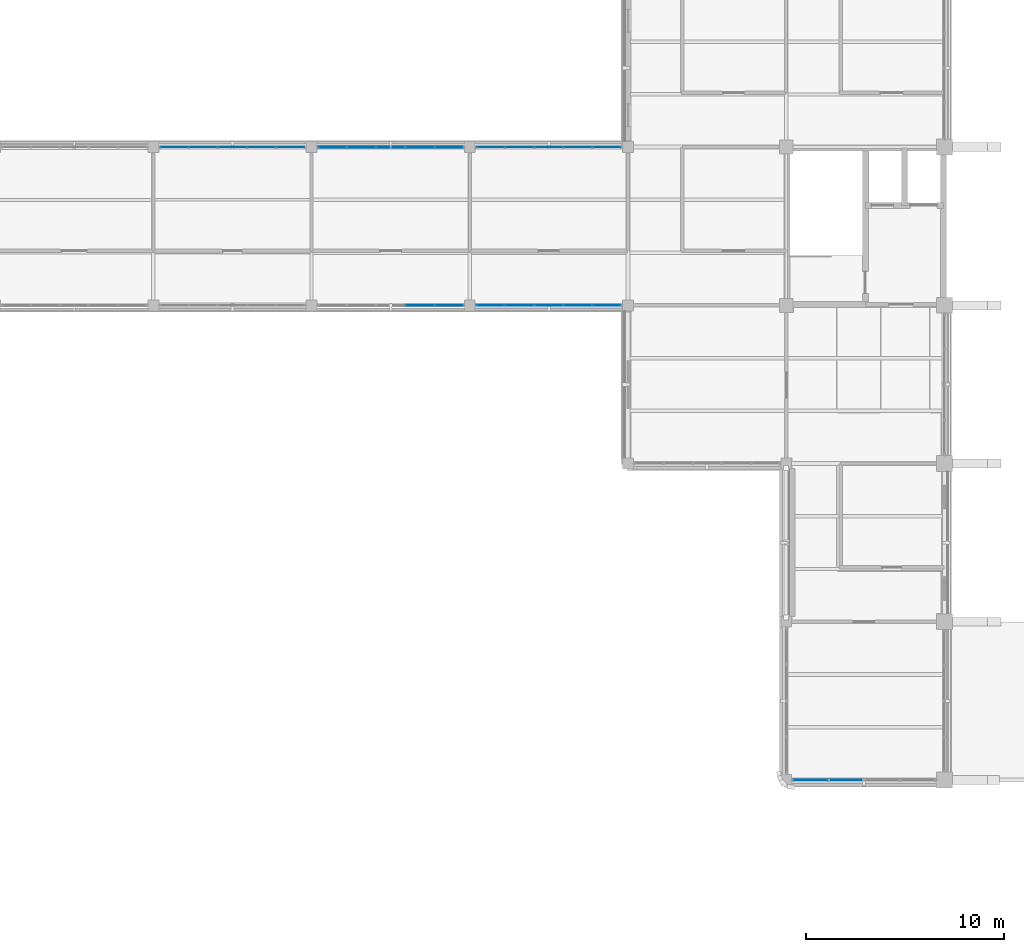
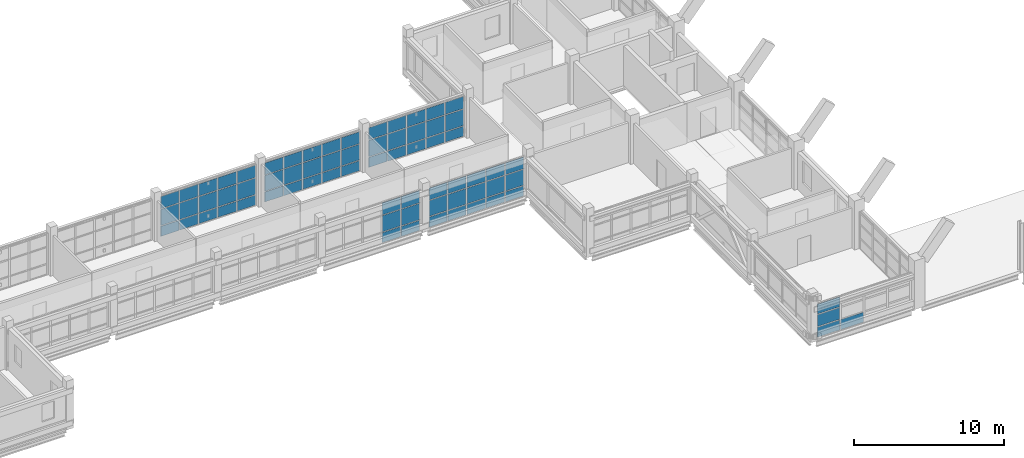
# One storey, part 50 of 92: 70 plates, 6 elements without a shape of their own.
"""IFC4 building model written with IfcOpenShell, lengths in metres."""

from ifc_helpers import new_model, si_unit, derived_unit, direction, frame, origin, origin_2d, place, context, subcontext, project, spatial, rectangle, extrude, material, layer, layer_set, type_object, element, aggregate, save


model = new_model("IFC4")

# Units and contexts
model_context = context("Model", 3, precision=1e-05, world=origin(), true_north=direction((0.0, 1.0)))
body_context = subcontext(model_context, "Body", "Model", "MODEL_VIEW")
ifc_project = project(units=[si_unit("LENGTHUNIT", "METRE"), si_unit("AREAUNIT", "SQUARE_METRE"), si_unit("VOLUMEUNIT", "CUBIC_METRE"), si_unit("PLANEANGLEUNIT", "RADIAN"), si_unit("MASSUNIT", "GRAM", prefix="KILO"), derived_unit("THERMALTRANSMITTANCEUNIT", [(si_unit("MASSUNIT", "GRAM", prefix="KILO"), 1), (si_unit("TIMEUNIT", "SECOND"), -3), (si_unit("THERMODYNAMICTEMPERATUREUNIT", "KELVIN"), -1)])], contexts=[model_context])

# Site, building, storey
site_placement = place(None, origin())
site = spatial("IfcSite", under=ifc_project, at=site_placement, CompositionType="ELEMENT")
building_placement = place(site_placement, origin())
building = spatial("IfcBuilding", under=site, at=building_placement, Name="Veyamyaing Civic Hall", CompositionType="ELEMENT")
storey_placement = place(building_placement, frame((0.0, 0.0, 17.820068359375)))
storey = spatial("IfcBuildingStorey", under=building, at=storey_placement, Name="L04", CompositionType="ELEMENT", Elevation=17.820068359375)

# Curtain wall, plates
ifc_material_1 = material(Name="Anodised aluminium 6063-T6", Category="aluminium")
ifc_layer_1 = layer(ifc_material_1, 0.139892578125, Name="Anodised aluminium 6063-T6")
ifc_layer_set_1 = layer_set([ifc_layer_1], Name="Anodised aluminium 6063-T6")
curtain_wall_type_1 = type_object("IfcCurtainWallType", Name="CW-04", PredefinedType="NOTDEFINED", material=ifc_layer_set_1)
curtain_wall_1_placement = place(storey_placement, origin())
curtain_wall_1 = element("IfcCurtainWall", 1, at=curtain_wall_1_placement, inside=storey, type_object=curtain_wall_type_1, Name="Unitized curtain wall CW-04 L04 N 5.7", PredefinedType="NOTDEFINED")
ifc_material_2 = material(Name="Low-E insulated glass", Category="glass")
ifc_layer_2 = layer(ifc_material_2, 0.02392578125, Name="Low-E insulated glass")
ifc_layer_set_2 = layer_set([ifc_layer_2], Name="Low-E insulated glass")
plate_type_1 = type_object("IfcPlateType", Name="CWP-04", PredefinedType="CURTAIN_PANEL", material=ifc_layer_set_2)
plate_1_placement = place(storey_placement, frame((33.05908203125, 56.0, 0.059814453125), z_axis=(0.0, 0.0, 1.0), x_axis=(1.0, 0.0, 0.0)))
plate_1 = element("IfcPlate", 2, at=plate_1_placement, type_object=plate_type_1, Name="CW-04 panel 1.1", PredefinedType="CURTAIN_PANEL", context=body_context, shape_type="SweptSolid", body=[
    extrude(rectangle(XDim=1.387939453125, YDim=0.02392578125, at=origin_2d()), origin(), (0.0, 0.0, 1.0), 0.81005859375),
])
plate_2_placement = place(storey_placement, frame((33.05908203125, 56.0, 0.929931640625), z_axis=(0.0, 0.0, 1.0), x_axis=(1.0, 0.0, 0.0)))
plate_2 = element("IfcPlate", 3, at=plate_2_placement, type_object=plate_type_1, Name="CW-04 panel 1.2", PredefinedType="CURTAIN_PANEL", context=body_context, shape_type="SweptSolid", body=[
    extrude(rectangle(XDim=1.387939453125, YDim=0.02392578125, at=origin_2d()), origin(), (0.0, 0.0, 1.0), 1.3193359375),
])
plate_3_placement = place(storey_placement, frame((33.05908203125, 56.0, 2.30908203125), z_axis=(0.0, 0.0, 1.0), x_axis=(1.0, 0.0, 0.0)))
plate_3 = element("IfcPlate", 4, at=plate_3_placement, type_object=plate_type_1, Name="CW-04 panel 1.3", PredefinedType="CURTAIN_PANEL", context=body_context, shape_type="SweptSolid", body=[
    extrude(rectangle(XDim=1.387939453125, YDim=0.02392578125, at=origin_2d()), origin(), (0.0, 0.0, 1.0), 0.982666015625),
])
plate_4_placement = place(storey_placement, frame((34.52197265625, 56.0, 0.059814453125), z_axis=(0.0, 0.0, 1.0), x_axis=(1.0, 0.0, 0.0)))
plate_4 = element("IfcPlate", 5, at=plate_4_placement, type_object=plate_type_1, Name="CW-04 panel 2.1", PredefinedType="CURTAIN_PANEL", context=body_context, shape_type="SweptSolid", body=[
    extrude(rectangle(XDim=1.41796875, YDim=0.02392578125, at=origin_2d()), origin(), (0.0, 0.0, 1.0), 0.81005859375),
])
plate_5_placement = place(storey_placement, frame((34.52197265625, 56.0, 0.929931640625), z_axis=(0.0, 0.0, 1.0), x_axis=(1.0, 0.0, 0.0)))
plate_5 = element("IfcPlate", 6, at=plate_5_placement, type_object=plate_type_1, Name="CW-04 panel 2.2", PredefinedType="CURTAIN_PANEL", context=body_context, shape_type="SweptSolid", body=[
    extrude(rectangle(XDim=1.41796875, YDim=0.02392578125, at=origin_2d()), origin(), (0.0, 0.0, 1.0), 1.3193359375),
])
plate_6_placement = place(storey_placement, frame((34.52197265625, 56.0, 2.30908203125), z_axis=(0.0, 0.0, 1.0), x_axis=(1.0, 0.0, 0.0)))
plate_6 = element("IfcPlate", 7, at=plate_6_placement, type_object=plate_type_1, Name="CW-04 panel 2.3", PredefinedType="CURTAIN_PANEL", context=body_context, shape_type="SweptSolid", body=[
    extrude(rectangle(XDim=1.41796875, YDim=0.02392578125, at=origin_2d()), origin(), (0.0, 0.0, 1.0), 0.982666015625),
])
plate_7_placement = place(storey_placement, frame((36.0, 56.0, 0.059814453125), z_axis=(0.0, 0.0, 1.0), x_axis=(1.0, 0.0, 0.0)))
plate_7 = element("IfcPlate", 8, at=plate_7_placement, type_object=plate_type_1, Name="CW-04 panel 3.1", PredefinedType="CURTAIN_PANEL", context=body_context, shape_type="SweptSolid", body=[
    extrude(rectangle(XDim=1.41796875, YDim=0.02392578125, at=origin_2d()), origin(), (0.0, 0.0, 1.0), 0.81005859375),
])
plate_8_placement = place(storey_placement, frame((36.0, 56.0, 0.929931640625), z_axis=(0.0, 0.0, 1.0), x_axis=(1.0, 0.0, 0.0)))
plate_8 = element("IfcPlate", 9, at=plate_8_placement, type_object=plate_type_1, Name="CW-04 panel 3.2", PredefinedType="CURTAIN_PANEL", context=body_context, shape_type="SweptSolid", body=[
    extrude(rectangle(XDim=1.41796875, YDim=0.02392578125, at=origin_2d()), origin(), (0.0, 0.0, 1.0), 1.3193359375),
])
plate_9_placement = place(storey_placement, frame((36.0, 56.0, 2.30908203125), z_axis=(0.0, 0.0, 1.0), x_axis=(1.0, 0.0, 0.0)))
plate_9 = element("IfcPlate", 10, at=plate_9_placement, type_object=plate_type_1, Name="CW-04 panel 3.3", PredefinedType="CURTAIN_PANEL", context=body_context, shape_type="SweptSolid", body=[
    extrude(rectangle(XDim=1.41796875, YDim=0.02392578125, at=origin_2d()), origin(), (0.0, 0.0, 1.0), 0.982666015625),
])
plate_10_placement = place(storey_placement, frame((37.47802734375, 56.0, 0.059814453125), z_axis=(0.0, 0.0, 1.0), x_axis=(1.0, 0.0, 0.0)))
plate_10 = element("IfcPlate", 11, at=plate_10_placement, type_object=plate_type_1, Name="CW-04 panel 4.1", PredefinedType="CURTAIN_PANEL", context=body_context, shape_type="SweptSolid", body=[
    extrude(rectangle(XDim=1.41796875, YDim=0.02392578125, at=origin_2d()), origin(), (0.0, 0.0, 1.0), 0.81005859375),
])
plate_11_placement = place(storey_placement, frame((37.47802734375, 56.0, 0.929931640625), z_axis=(0.0, 0.0, 1.0), x_axis=(1.0, 0.0, 0.0)))
plate_11 = element("IfcPlate", 12, at=plate_11_placement, type_object=plate_type_1, Name="CW-04 panel 4.2", PredefinedType="CURTAIN_PANEL", context=body_context, shape_type="SweptSolid", body=[
    extrude(rectangle(XDim=1.41796875, YDim=0.02392578125, at=origin_2d()), origin(), (0.0, 0.0, 1.0), 1.3193359375),
])
plate_12_placement = place(storey_placement, frame((37.47802734375, 56.0, 2.30908203125), z_axis=(0.0, 0.0, 1.0), x_axis=(1.0, 0.0, 0.0)))
plate_12 = element("IfcPlate", 13, at=plate_12_placement, type_object=plate_type_1, Name="CW-04 panel 4.3", PredefinedType="CURTAIN_PANEL", context=body_context, shape_type="SweptSolid", body=[
    extrude(rectangle(XDim=1.41796875, YDim=0.02392578125, at=origin_2d()), origin(), (0.0, 0.0, 1.0), 0.982666015625),
])
plate_13_placement = place(storey_placement, frame((38.94091796875, 56.0, 0.059814453125), z_axis=(0.0, 0.0, 1.0), x_axis=(1.0, 0.0, 0.0)))
plate_13 = element("IfcPlate", 14, at=plate_13_placement, type_object=plate_type_1, Name="CW-04 panel 5.1", PredefinedType="CURTAIN_PANEL", context=body_context, shape_type="SweptSolid", body=[
    extrude(rectangle(XDim=1.387939453125, YDim=0.02392578125, at=origin_2d()), origin(), (0.0, 0.0, 1.0), 0.81005859375),
])
plate_14_placement = place(storey_placement, frame((38.94091796875, 56.0, 0.929931640625), z_axis=(0.0, 0.0, 1.0), x_axis=(1.0, 0.0, 0.0)))
plate_14 = element("IfcPlate", 15, at=plate_14_placement, type_object=plate_type_1, Name="CW-04 panel 5.2", PredefinedType="CURTAIN_PANEL", context=body_context, shape_type="SweptSolid", body=[
    extrude(rectangle(XDim=1.387939453125, YDim=0.02392578125, at=origin_2d()), origin(), (0.0, 0.0, 1.0), 1.3193359375),
])
plate_15_placement = place(storey_placement, frame((38.94091796875, 56.0, 2.30908203125), z_axis=(0.0, 0.0, 1.0), x_axis=(1.0, 0.0, 0.0)))
plate_15 = element("IfcPlate", 16, at=plate_15_placement, type_object=plate_type_1, Name="CW-04 panel 5.3", PredefinedType="CURTAIN_PANEL", context=body_context, shape_type="SweptSolid", body=[
    extrude(rectangle(XDim=1.387939453125, YDim=0.02392578125, at=origin_2d()), origin(), (0.0, 0.0, 1.0), 0.982666015625),
])
aggregate(curtain_wall_1, [plate_1, plate_2, plate_3, plate_4, plate_5, plate_6, plate_7, plate_8, plate_9, plate_10, plate_11, plate_12, plate_13, plate_14, plate_15])

curtain_wall_2_placement = place(storey_placement, origin())
curtain_wall_2 = element("IfcCurtainWall", 17, at=curtain_wall_2_placement, inside=storey, type_object=curtain_wall_type_1, Name="Unitized curtain wall CW-04 L04 S 6.7", PredefinedType="NOTDEFINED")
ifc_layer_3 = layer(ifc_material_2, 0.0400390625, Name="Low-E insulated glass")
ifc_layer_set_3 = layer_set([ifc_layer_3], Name="Low-E insulated glass")
plate_type_2 = type_object("IfcPlateType", Name="CWP-05", PredefinedType="CURTAIN_PANEL", material=ifc_layer_set_3)
plate_16_placement = place(storey_placement, frame((45.47802734375, 48.0, 0.059814453125), z_axis=(0.0, 0.0, 1.0), x_axis=(1.0, 0.0, 0.0)))
plate_16 = element("IfcPlate", 18, at=plate_16_placement, type_object=plate_type_2, Name="CW-04 panel 4.1", PredefinedType="CURTAIN_PANEL", context=body_context, shape_type="SweptSolid", body=[
    extrude(rectangle(XDim=1.41796875, YDim=0.0400390625, at=origin_2d()), origin(), (0.0, 0.0, 1.0), 0.81005859375),
])
plate_17_placement = place(storey_placement, frame((45.47802734375, 48.0, 0.929931640625), z_axis=(0.0, 0.0, 1.0), x_axis=(1.0, 0.0, 0.0)))
plate_17 = element("IfcPlate", 19, at=plate_17_placement, type_object=plate_type_2, Name="CW-04 panel 4.2", PredefinedType="CURTAIN_PANEL", context=body_context, shape_type="SweptSolid", body=[
    extrude(rectangle(XDim=1.41796875, YDim=0.0400390625, at=origin_2d()), origin(), (0.0, 0.0, 1.0), 1.3193359375),
])
plate_18_placement = place(storey_placement, frame((45.47802734375, 48.0, 2.30908203125), z_axis=(0.0, 0.0, 1.0), x_axis=(1.0, 0.0, 0.0)))
plate_18 = element("IfcPlate", 20, at=plate_18_placement, type_object=plate_type_2, Name="CW-04 panel 4.3", PredefinedType="CURTAIN_PANEL", context=body_context, shape_type="SweptSolid", body=[
    extrude(rectangle(XDim=1.41796875, YDim=0.0400390625, at=origin_2d()), origin(), (0.0, 0.0, 1.0), 0.982666015625),
])
plate_19_placement = place(storey_placement, frame((46.94091796875, 48.0, 0.059814453125), z_axis=(0.0, 0.0, 1.0), x_axis=(1.0, 0.0, 0.0)))
plate_19 = element("IfcPlate", 21, at=plate_19_placement, type_object=plate_type_2, Name="CW-04 panel 5.1", PredefinedType="CURTAIN_PANEL", context=body_context, shape_type="SweptSolid", body=[
    extrude(rectangle(XDim=1.387939453125, YDim=0.0400390625, at=origin_2d()), origin(), (0.0, 0.0, 1.0), 0.81005859375),
])
plate_20_placement = place(storey_placement, frame((46.94091796875, 48.0, 0.929931640625), z_axis=(0.0, 0.0, 1.0), x_axis=(1.0, 0.0, 0.0)))
plate_20 = element("IfcPlate", 22, at=plate_20_placement, type_object=plate_type_2, Name="CW-04 panel 5.2", PredefinedType="CURTAIN_PANEL", context=body_context, shape_type="SweptSolid", body=[
    extrude(rectangle(XDim=1.387939453125, YDim=0.0400390625, at=origin_2d()), origin(), (0.0, 0.0, 1.0), 1.3193359375),
])
plate_21_placement = place(storey_placement, frame((46.94091796875, 48.0, 2.30908203125), z_axis=(0.0, 0.0, 1.0), x_axis=(1.0, 0.0, 0.0)))
plate_21 = element("IfcPlate", 23, at=plate_21_placement, type_object=plate_type_2, Name="CW-04 panel 5.3", PredefinedType="CURTAIN_PANEL", context=body_context, shape_type="SweptSolid", body=[
    extrude(rectangle(XDim=1.387939453125, YDim=0.0400390625, at=origin_2d()), origin(), (0.0, 0.0, 1.0), 0.982666015625),
])
aggregate(curtain_wall_2, [plate_16, plate_17, plate_18, plate_19, plate_20, plate_21])

curtain_wall_3_placement = place(storey_placement, origin())
curtain_wall_3 = element("IfcCurtainWall", 24, at=curtain_wall_3_placement, inside=storey, type_object=curtain_wall_type_1, Name="Unitized curtain wall CW-04 L04 N 6.7", PredefinedType="NOTDEFINED")
plate_22_placement = place(storey_placement, frame((41.05908203125, 56.0, 0.059814453125), z_axis=(0.0, 0.0, 1.0), x_axis=(1.0, 0.0, 0.0)))
plate_22 = element("IfcPlate", 25, at=plate_22_placement, type_object=plate_type_2, Name="CW-04 panel 1.1", PredefinedType="CURTAIN_PANEL", context=body_context, shape_type="SweptSolid", body=[
    extrude(rectangle(XDim=1.387939453125, YDim=0.0400390625, at=origin_2d()), origin(), (0.0, 0.0, 1.0), 0.81005859375),
])
plate_23_placement = place(storey_placement, frame((41.05908203125, 56.0, 0.93017578125), z_axis=(0.0, 0.0, 1.0), x_axis=(1.0, 0.0, 0.0)))
plate_23 = element("IfcPlate", 26, at=plate_23_placement, type_object=plate_type_2, Name="CW-04 panel 1.2", PredefinedType="CURTAIN_PANEL", context=body_context, shape_type="SweptSolid", body=[
    extrude(rectangle(XDim=1.387939453125, YDim=0.0400390625, at=origin_2d()), origin(), (0.0, 0.0, 1.0), 1.273681640625),
])
plate_24_placement = place(storey_placement, frame((41.05908203125, 56.0, 2.263671875), z_axis=(0.0, 0.0, 1.0), x_axis=(1.0, 0.0, 0.0)))
plate_24 = element("IfcPlate", 27, at=plate_24_placement, type_object=plate_type_2, Name="CW-04 panel 1.3", PredefinedType="CURTAIN_PANEL", context=body_context, shape_type="SweptSolid", body=[
    extrude(rectangle(XDim=1.387939453125, YDim=0.0400390625, at=origin_2d()), origin(), (0.0, 0.0, 1.0), 0.961181640625),
])
plate_25_placement = place(storey_placement, frame((42.52197265625, 56.0, 0.059814453125), z_axis=(0.0, 0.0, 1.0), x_axis=(1.0, 0.0, 0.0)))
plate_25 = element("IfcPlate", 28, at=plate_25_placement, type_object=plate_type_2, Name="CW-04 panel 2.1", PredefinedType="CURTAIN_PANEL", context=body_context, shape_type="SweptSolid", body=[
    extrude(rectangle(XDim=1.41796875, YDim=0.0400390625, at=origin_2d()), origin(), (0.0, 0.0, 1.0), 0.81005859375),
])
plate_26_placement = place(storey_placement, frame((42.52197265625, 56.0, 0.93017578125), z_axis=(0.0, 0.0, 1.0), x_axis=(1.0, 0.0, 0.0)))
plate_26 = element("IfcPlate", 29, at=plate_26_placement, type_object=plate_type_2, Name="CW-04 panel 2.2", PredefinedType="CURTAIN_PANEL", context=body_context, shape_type="SweptSolid", body=[
    extrude(rectangle(XDim=1.41796875, YDim=0.0400390625, at=origin_2d()), origin(), (0.0, 0.0, 1.0), 1.273681640625),
])
plate_27_placement = place(storey_placement, frame((42.52197265625, 56.0, 2.263671875), z_axis=(0.0, 0.0, 1.0), x_axis=(1.0, 0.0, 0.0)))
plate_27 = element("IfcPlate", 30, at=plate_27_placement, type_object=plate_type_2, Name="CW-04 panel 2.3", PredefinedType="CURTAIN_PANEL", context=body_context, shape_type="SweptSolid", body=[
    extrude(rectangle(XDim=1.41796875, YDim=0.0400390625, at=origin_2d()), origin(), (0.0, 0.0, 1.0), 0.961181640625),
])
plate_28_placement = place(storey_placement, frame((44.0, 56.0, 0.059814453125), z_axis=(0.0, 0.0, 1.0), x_axis=(1.0, 0.0, 0.0)))
plate_28 = element("IfcPlate", 31, at=plate_28_placement, type_object=plate_type_2, Name="CW-04 panel 3.1", PredefinedType="CURTAIN_PANEL", context=body_context, shape_type="SweptSolid", body=[
    extrude(rectangle(XDim=1.41796875, YDim=0.0400390625, at=origin_2d()), origin(), (0.0, 0.0, 1.0), 0.81005859375),
])
plate_29_placement = place(storey_placement, frame((44.0, 56.0, 0.93017578125), z_axis=(0.0, 0.0, 1.0), x_axis=(1.0, 0.0, 0.0)))
plate_29 = element("IfcPlate", 32, at=plate_29_placement, type_object=plate_type_2, Name="CW-04 panel 3.2", PredefinedType="CURTAIN_PANEL", context=body_context, shape_type="SweptSolid", body=[
    extrude(rectangle(XDim=1.41796875, YDim=0.0400390625, at=origin_2d()), origin(), (0.0, 0.0, 1.0), 1.273681640625),
])
plate_30_placement = place(storey_placement, frame((44.0, 56.0, 2.263671875), z_axis=(0.0, 0.0, 1.0), x_axis=(1.0, 0.0, 0.0)))
plate_30 = element("IfcPlate", 33, at=plate_30_placement, type_object=plate_type_2, Name="CW-04 panel 3.3", PredefinedType="CURTAIN_PANEL", context=body_context, shape_type="SweptSolid", body=[
    extrude(rectangle(XDim=1.41796875, YDim=0.0400390625, at=origin_2d()), origin(), (0.0, 0.0, 1.0), 0.961181640625),
])
plate_31_placement = place(storey_placement, frame((45.47802734375, 56.0, 0.059814453125), z_axis=(0.0, 0.0, 1.0), x_axis=(1.0, 0.0, 0.0)))
plate_31 = element("IfcPlate", 34, at=plate_31_placement, type_object=plate_type_2, Name="CW-04 panel 4.1", PredefinedType="CURTAIN_PANEL", context=body_context, shape_type="SweptSolid", body=[
    extrude(rectangle(XDim=1.41796875, YDim=0.0400390625, at=origin_2d()), origin(), (0.0, 0.0, 1.0), 0.81005859375),
])
plate_32_placement = place(storey_placement, frame((45.47802734375, 56.0, 0.93017578125), z_axis=(0.0, 0.0, 1.0), x_axis=(1.0, 0.0, 0.0)))
plate_32 = element("IfcPlate", 35, at=plate_32_placement, type_object=plate_type_2, Name="CW-04 panel 4.2", PredefinedType="CURTAIN_PANEL", context=body_context, shape_type="SweptSolid", body=[
    extrude(rectangle(XDim=1.41796875, YDim=0.0400390625, at=origin_2d()), origin(), (0.0, 0.0, 1.0), 1.273681640625),
])
plate_33_placement = place(storey_placement, frame((45.47802734375, 56.0, 2.263671875), z_axis=(0.0, 0.0, 1.0), x_axis=(1.0, 0.0, 0.0)))
plate_33 = element("IfcPlate", 36, at=plate_33_placement, type_object=plate_type_2, Name="CW-04 panel 4.3", PredefinedType="CURTAIN_PANEL", context=body_context, shape_type="SweptSolid", body=[
    extrude(rectangle(XDim=1.41796875, YDim=0.0400390625, at=origin_2d()), origin(), (0.0, 0.0, 1.0), 0.961181640625),
])
plate_34_placement = place(storey_placement, frame((46.94091796875, 56.0, 0.059814453125), z_axis=(0.0, 0.0, 1.0), x_axis=(1.0, 0.0, 0.0)))
plate_34 = element("IfcPlate", 37, at=plate_34_placement, type_object=plate_type_2, Name="CW-04 panel 5.1", PredefinedType="CURTAIN_PANEL", context=body_context, shape_type="SweptSolid", body=[
    extrude(rectangle(XDim=1.387939453125, YDim=0.0400390625, at=origin_2d()), origin(), (0.0, 0.0, 1.0), 0.81005859375),
])
plate_35_placement = place(storey_placement, frame((46.94091796875, 56.0, 0.93017578125), z_axis=(0.0, 0.0, 1.0), x_axis=(1.0, 0.0, 0.0)))
plate_35 = element("IfcPlate", 38, at=plate_35_placement, type_object=plate_type_2, Name="CW-04 panel 5.2", PredefinedType="CURTAIN_PANEL", context=body_context, shape_type="SweptSolid", body=[
    extrude(rectangle(XDim=1.387939453125, YDim=0.0400390625, at=origin_2d()), origin(), (0.0, 0.0, 1.0), 1.273681640625),
])
plate_36_placement = place(storey_placement, frame((46.94091796875, 56.0, 2.263671875), z_axis=(0.0, 0.0, 1.0), x_axis=(1.0, 0.0, 0.0)))
plate_36 = element("IfcPlate", 39, at=plate_36_placement, type_object=plate_type_2, Name="CW-04 panel 5.3", PredefinedType="CURTAIN_PANEL", context=body_context, shape_type="SweptSolid", body=[
    extrude(rectangle(XDim=1.387939453125, YDim=0.0400390625, at=origin_2d()), origin(), (0.0, 0.0, 1.0), 0.961181640625),
])
aggregate(curtain_wall_3, [plate_22, plate_23, plate_24, plate_25, plate_26, plate_27, plate_28, plate_29, plate_30, plate_31, plate_32, plate_33, plate_34, plate_35, plate_36])

ifc_layer_4 = layer(ifc_material_1, 0.159912109375, Name="Anodised aluminium 6063-T6")
ifc_layer_set_4 = layer_set([ifc_layer_4], Name="Anodised aluminium 6063-T6")
curtain_wall_type_2 = type_object("IfcCurtainWallType", Name="CW-08", PredefinedType="NOTDEFINED", material=ifc_layer_set_4)
curtain_wall_4_placement = place(storey_placement, origin())
curtain_wall_4 = element("IfcCurtainWall", 40, at=curtain_wall_4_placement, inside=storey, type_object=curtain_wall_type_2, Name="Unitized curtain wall CW-08 L04 S 9.4", PredefinedType="NOTDEFINED")
plate_37_placement = place(storey_placement, frame((65.2294921875, 24.0, 0.06494140625), z_axis=(0.0, 0.0, 1.0), x_axis=(1.0, 0.0, 0.0)))
plate_37 = element("IfcPlate", 41, at=plate_37_placement, type_object=plate_type_2, Name="CW-08 panel 1.1", PredefinedType="CURTAIN_PANEL", context=body_context, shape_type="SweptSolid", body=[
    extrude(rectangle(XDim=1.71875, YDim=0.0400390625, at=origin_2d()), origin(), (0.0, 0.0, 1.0), 0.802490234375),
])
plate_38_placement = place(storey_placement, frame((65.2294921875, 24.0, 0.932373046875), z_axis=(0.0, 0.0, 1.0), x_axis=(1.0, 0.0, 0.0)))
plate_38 = element("IfcPlate", 42, at=plate_38_placement, type_object=plate_type_2, Name="CW-08 panel 1.2", PredefinedType="CURTAIN_PANEL", context=body_context, shape_type="SweptSolid", body=[
    extrude(rectangle(XDim=1.71875, YDim=0.0400390625, at=origin_2d()), origin(), (0.0, 0.0, 1.0), 0.95068359375),
])
plate_39_placement = place(storey_placement, frame((65.2294921875, 24.0, 1.9482421875), z_axis=(0.0, 0.0, 1.0), x_axis=(1.0, 0.0, 0.0)))
plate_39 = element("IfcPlate", 43, at=plate_39_placement, type_object=plate_type_2, Name="CW-08 panel 1.3", PredefinedType="CURTAIN_PANEL", context=body_context, shape_type="SweptSolid", body=[
    extrude(rectangle(XDim=1.71875, YDim=0.0400390625, at=origin_2d()), origin(), (0.0, 0.0, 1.0), 0.803955078125),
])
plate_40_placement = place(storey_placement, frame((67.029296875, 24.0, 0.06494140625), z_axis=(0.0, 0.0, 1.0), x_axis=(1.0, 0.0, 0.0)))
plate_40 = element("IfcPlate", 44, at=plate_40_placement, type_object=plate_type_2, Name="CW-08 panel 2.1", PredefinedType="CURTAIN_PANEL", context=body_context, shape_type="SweptSolid", body=[
    extrude(rectangle(XDim=1.751220703125, YDim=0.0400390625, at=origin_2d()), origin(), (0.0, 0.0, 1.0), 0.802490234375),
])
aggregate(curtain_wall_4, [plate_37, plate_38, plate_39, plate_40])

curtain_wall_5_placement = place(storey_placement, origin())
curtain_wall_5 = element("IfcCurtainWall", 45, at=curtain_wall_5_placement, inside=storey, type_object=curtain_wall_type_1, Name="Unitized curtain wall CW-04 L04 S 7.7", PredefinedType="NOTDEFINED")
ifc_layer_5 = layer(ifc_material_2, 0.02197265625, Name="Low-E insulated glass")
ifc_layer_set_5 = layer_set([ifc_layer_5], Name="Low-E insulated glass")
plate_type_3 = type_object("IfcPlateType", Name="CWP-06", PredefinedType="CURTAIN_PANEL", material=ifc_layer_set_5)
plate_41_placement = place(storey_placement, frame((49.05908203125, 48.0, 0.059814453125), z_axis=(0.0, 0.0, 1.0), x_axis=(1.0, 0.0, 0.0)))
plate_41 = element("IfcPlate", 46, at=plate_41_placement, type_object=plate_type_3, Name="CW-04 panel 1.1", PredefinedType="CURTAIN_PANEL", context=body_context, shape_type="SweptSolid", body=[
    extrude(rectangle(XDim=1.387939453125, YDim=0.02197265625, at=origin_2d()), origin(), (0.0, 0.0, 1.0), 0.81005859375),
])
plate_42_placement = place(storey_placement, frame((49.05908203125, 48.0, 0.93017578125), z_axis=(0.0, 0.0, 1.0), x_axis=(1.0, 0.0, 0.0)))
plate_42 = element("IfcPlate", 47, at=plate_42_placement, type_object=plate_type_3, Name="CW-04 panel 1.2", PredefinedType="CURTAIN_PANEL", context=body_context, shape_type="SweptSolid", body=[
    extrude(rectangle(XDim=1.387939453125, YDim=0.02197265625, at=origin_2d()), origin(), (0.0, 0.0, 1.0), 1.273681640625),
])
plate_43_placement = place(storey_placement, frame((49.05908203125, 48.0, 2.263671875), z_axis=(0.0, 0.0, 1.0), x_axis=(1.0, 0.0, 0.0)))
plate_43 = element("IfcPlate", 48, at=plate_43_placement, type_object=plate_type_3, Name="CW-04 panel 1.3", PredefinedType="CURTAIN_PANEL", context=body_context, shape_type="SweptSolid", body=[
    extrude(rectangle(XDim=1.387939453125, YDim=0.02197265625, at=origin_2d()), origin(), (0.0, 0.0, 1.0), 0.961181640625),
])
plate_44_placement = place(storey_placement, frame((50.52197265625, 48.0, 0.059814453125), z_axis=(0.0, 0.0, 1.0), x_axis=(1.0, 0.0, 0.0)))
plate_44 = element("IfcPlate", 49, at=plate_44_placement, type_object=plate_type_3, Name="CW-04 panel 2.1", PredefinedType="CURTAIN_PANEL", context=body_context, shape_type="SweptSolid", body=[
    extrude(rectangle(XDim=1.41796875, YDim=0.02197265625, at=origin_2d()), origin(), (0.0, 0.0, 1.0), 0.81005859375),
])
plate_45_placement = place(storey_placement, frame((50.52197265625, 48.0, 0.93017578125), z_axis=(0.0, 0.0, 1.0), x_axis=(1.0, 0.0, 0.0)))
plate_45 = element("IfcPlate", 50, at=plate_45_placement, type_object=plate_type_3, Name="CW-04 panel 2.2", PredefinedType="CURTAIN_PANEL", context=body_context, shape_type="SweptSolid", body=[
    extrude(rectangle(XDim=1.41796875, YDim=0.02197265625, at=origin_2d()), origin(), (0.0, 0.0, 1.0), 1.273681640625),
])
plate_46_placement = place(storey_placement, frame((50.52197265625, 48.0, 2.263671875), z_axis=(0.0, 0.0, 1.0), x_axis=(1.0, 0.0, 0.0)))
plate_46 = element("IfcPlate", 51, at=plate_46_placement, type_object=plate_type_3, Name="CW-04 panel 2.3", PredefinedType="CURTAIN_PANEL", context=body_context, shape_type="SweptSolid", body=[
    extrude(rectangle(XDim=1.41796875, YDim=0.02197265625, at=origin_2d()), origin(), (0.0, 0.0, 1.0), 0.961181640625),
])
plate_47_placement = place(storey_placement, frame((52.0, 48.0, 0.059814453125), z_axis=(0.0, 0.0, 1.0), x_axis=(1.0, 0.0, 0.0)))
plate_47 = element("IfcPlate", 52, at=plate_47_placement, type_object=plate_type_3, Name="CW-04 panel 3.1", PredefinedType="CURTAIN_PANEL", context=body_context, shape_type="SweptSolid", body=[
    extrude(rectangle(XDim=1.41796875, YDim=0.02197265625, at=origin_2d()), origin(), (0.0, 0.0, 1.0), 0.81005859375),
])
plate_48_placement = place(storey_placement, frame((52.0, 48.0, 0.93017578125), z_axis=(0.0, 0.0, 1.0), x_axis=(1.0, 0.0, 0.0)))
plate_48 = element("IfcPlate", 53, at=plate_48_placement, type_object=plate_type_3, Name="CW-04 panel 3.2", PredefinedType="CURTAIN_PANEL", context=body_context, shape_type="SweptSolid", body=[
    extrude(rectangle(XDim=1.41796875, YDim=0.02197265625, at=origin_2d()), origin(), (0.0, 0.0, 1.0), 1.273681640625),
])
plate_49_placement = place(storey_placement, frame((52.0, 48.0, 2.263671875), z_axis=(0.0, 0.0, 1.0), x_axis=(1.0, 0.0, 0.0)))
plate_49 = element("IfcPlate", 54, at=plate_49_placement, type_object=plate_type_3, Name="CW-04 panel 3.3", PredefinedType="CURTAIN_PANEL", context=body_context, shape_type="SweptSolid", body=[
    extrude(rectangle(XDim=1.41796875, YDim=0.02197265625, at=origin_2d()), origin(), (0.0, 0.0, 1.0), 0.961181640625),
])
plate_50_placement = place(storey_placement, frame((53.47802734375, 48.0, 0.059814453125), z_axis=(0.0, 0.0, 1.0), x_axis=(1.0, 0.0, 0.0)))
plate_50 = element("IfcPlate", 55, at=plate_50_placement, type_object=plate_type_3, Name="CW-04 panel 4.1", PredefinedType="CURTAIN_PANEL", context=body_context, shape_type="SweptSolid", body=[
    extrude(rectangle(XDim=1.41796875, YDim=0.02197265625, at=origin_2d()), origin(), (0.0, 0.0, 1.0), 0.81005859375),
])
plate_51_placement = place(storey_placement, frame((53.47802734375, 48.0, 0.93017578125), z_axis=(0.0, 0.0, 1.0), x_axis=(1.0, 0.0, 0.0)))
plate_51 = element("IfcPlate", 56, at=plate_51_placement, type_object=plate_type_3, Name="CW-04 panel 4.2", PredefinedType="CURTAIN_PANEL", context=body_context, shape_type="SweptSolid", body=[
    extrude(rectangle(XDim=1.41796875, YDim=0.02197265625, at=origin_2d()), origin(), (0.0, 0.0, 1.0), 1.273681640625),
])
plate_52_placement = place(storey_placement, frame((53.47802734375, 48.0, 2.263671875), z_axis=(0.0, 0.0, 1.0), x_axis=(1.0, 0.0, 0.0)))
plate_52 = element("IfcPlate", 57, at=plate_52_placement, type_object=plate_type_3, Name="CW-04 panel 4.3", PredefinedType="CURTAIN_PANEL", context=body_context, shape_type="SweptSolid", body=[
    extrude(rectangle(XDim=1.41796875, YDim=0.02197265625, at=origin_2d()), origin(), (0.0, 0.0, 1.0), 0.961181640625),
])
plate_53_placement = place(storey_placement, frame((54.94091796875, 48.0, 0.059814453125), z_axis=(0.0, 0.0, 1.0), x_axis=(1.0, 0.0, 0.0)))
plate_53 = element("IfcPlate", 58, at=plate_53_placement, type_object=plate_type_3, Name="CW-04 panel 5.1", PredefinedType="CURTAIN_PANEL", context=body_context, shape_type="SweptSolid", body=[
    extrude(rectangle(XDim=1.387939453125, YDim=0.02197265625, at=origin_2d()), origin(), (0.0, 0.0, 1.0), 0.81005859375),
])
plate_54_placement = place(storey_placement, frame((54.94091796875, 48.0, 0.93017578125), z_axis=(0.0, 0.0, 1.0), x_axis=(1.0, 0.0, 0.0)))
plate_54 = element("IfcPlate", 59, at=plate_54_placement, type_object=plate_type_3, Name="CW-04 panel 5.2", PredefinedType="CURTAIN_PANEL", context=body_context, shape_type="SweptSolid", body=[
    extrude(rectangle(XDim=1.387939453125, YDim=0.02197265625, at=origin_2d()), origin(), (0.0, 0.0, 1.0), 1.273681640625),
])
plate_55_placement = place(storey_placement, frame((54.94091796875, 48.0, 2.263671875), z_axis=(0.0, 0.0, 1.0), x_axis=(1.0, 0.0, 0.0)))
plate_55 = element("IfcPlate", 60, at=plate_55_placement, type_object=plate_type_3, Name="CW-04 panel 5.3", PredefinedType="CURTAIN_PANEL", context=body_context, shape_type="SweptSolid", body=[
    extrude(rectangle(XDim=1.387939453125, YDim=0.02197265625, at=origin_2d()), origin(), (0.0, 0.0, 1.0), 0.961181640625),
])
aggregate(curtain_wall_5, [plate_41, plate_42, plate_43, plate_44, plate_45, plate_46, plate_47, plate_48, plate_49, plate_50, plate_51, plate_52, plate_53, plate_54, plate_55])

curtain_wall_6_placement = place(storey_placement, origin())
curtain_wall_6 = element("IfcCurtainWall", 61, at=curtain_wall_6_placement, inside=storey, type_object=curtain_wall_type_1, Name="Unitized curtain wall CW-04 L04 N 7.7", PredefinedType="NOTDEFINED")
plate_56_placement = place(storey_placement, frame((49.05908203125, 56.0, 0.059814453125), z_axis=(0.0, 0.0, 1.0), x_axis=(1.0, 0.0, 0.0)))
plate_56 = element("IfcPlate", 62, at=plate_56_placement, type_object=plate_type_3, Name="CW-04 panel 1.1", PredefinedType="CURTAIN_PANEL", context=body_context, shape_type="SweptSolid", body=[
    extrude(rectangle(XDim=1.387939453125, YDim=0.02197265625, at=origin_2d()), origin(), (0.0, 0.0, 1.0), 0.81005859375),
])
plate_57_placement = place(storey_placement, frame((49.05908203125, 56.0, 0.929931640625), z_axis=(0.0, 0.0, 1.0), x_axis=(1.0, 0.0, 0.0)))
plate_57 = element("IfcPlate", 63, at=plate_57_placement, type_object=plate_type_3, Name="CW-04 panel 1.2", PredefinedType="CURTAIN_PANEL", context=body_context, shape_type="SweptSolid", body=[
    extrude(rectangle(XDim=1.387939453125, YDim=0.02197265625, at=origin_2d()), origin(), (0.0, 0.0, 1.0), 1.3173828125),
])
plate_58_placement = place(storey_placement, frame((49.05908203125, 56.0, 2.30712890625), z_axis=(0.0, 0.0, 1.0), x_axis=(1.0, 0.0, 0.0)))
plate_58 = element("IfcPlate", 64, at=plate_58_placement, type_object=plate_type_3, Name="CW-04 panel 1.3", PredefinedType="CURTAIN_PANEL", context=body_context, shape_type="SweptSolid", body=[
    extrude(rectangle(XDim=1.387939453125, YDim=0.02197265625, at=origin_2d()), origin(), (0.0, 0.0, 1.0), 0.981689453125),
])
plate_59_placement = place(storey_placement, frame((50.52197265625, 56.0, 0.059814453125), z_axis=(0.0, 0.0, 1.0), x_axis=(1.0, 0.0, 0.0)))
plate_59 = element("IfcPlate", 65, at=plate_59_placement, type_object=plate_type_3, Name="CW-04 panel 2.1", PredefinedType="CURTAIN_PANEL", context=body_context, shape_type="SweptSolid", body=[
    extrude(rectangle(XDim=1.41796875, YDim=0.02197265625, at=origin_2d()), origin(), (0.0, 0.0, 1.0), 0.81005859375),
])
plate_60_placement = place(storey_placement, frame((50.52197265625, 56.0, 0.929931640625), z_axis=(0.0, 0.0, 1.0), x_axis=(1.0, 0.0, 0.0)))
plate_60 = element("IfcPlate", 66, at=plate_60_placement, type_object=plate_type_3, Name="CW-04 panel 2.2", PredefinedType="CURTAIN_PANEL", context=body_context, shape_type="SweptSolid", body=[
    extrude(rectangle(XDim=1.41796875, YDim=0.02197265625, at=origin_2d()), origin(), (0.0, 0.0, 1.0), 1.3173828125),
])
plate_61_placement = place(storey_placement, frame((50.52197265625, 56.0, 2.30712890625), z_axis=(0.0, 0.0, 1.0), x_axis=(1.0, 0.0, 0.0)))
plate_61 = element("IfcPlate", 67, at=plate_61_placement, type_object=plate_type_3, Name="CW-04 panel 2.3", PredefinedType="CURTAIN_PANEL", context=body_context, shape_type="SweptSolid", body=[
    extrude(rectangle(XDim=1.41796875, YDim=0.02197265625, at=origin_2d()), origin(), (0.0, 0.0, 1.0), 0.981689453125),
])
plate_62_placement = place(storey_placement, frame((52.0, 56.0, 0.059814453125), z_axis=(0.0, 0.0, 1.0), x_axis=(1.0, 0.0, 0.0)))
plate_62 = element("IfcPlate", 68, at=plate_62_placement, type_object=plate_type_3, Name="CW-04 panel 3.1", PredefinedType="CURTAIN_PANEL", context=body_context, shape_type="SweptSolid", body=[
    extrude(rectangle(XDim=1.41796875, YDim=0.02197265625, at=origin_2d()), origin(), (0.0, 0.0, 1.0), 0.81005859375),
])
plate_63_placement = place(storey_placement, frame((52.0, 56.0, 0.929931640625), z_axis=(0.0, 0.0, 1.0), x_axis=(1.0, 0.0, 0.0)))
plate_63 = element("IfcPlate", 69, at=plate_63_placement, type_object=plate_type_3, Name="CW-04 panel 3.2", PredefinedType="CURTAIN_PANEL", context=body_context, shape_type="SweptSolid", body=[
    extrude(rectangle(XDim=1.41796875, YDim=0.02197265625, at=origin_2d()), origin(), (0.0, 0.0, 1.0), 1.3173828125),
])
plate_64_placement = place(storey_placement, frame((52.0, 56.0, 2.30712890625), z_axis=(0.0, 0.0, 1.0), x_axis=(1.0, 0.0, 0.0)))
plate_64 = element("IfcPlate", 70, at=plate_64_placement, type_object=plate_type_3, Name="CW-04 panel 3.3", PredefinedType="CURTAIN_PANEL", context=body_context, shape_type="SweptSolid", body=[
    extrude(rectangle(XDim=1.41796875, YDim=0.02197265625, at=origin_2d()), origin(), (0.0, 0.0, 1.0), 0.981689453125),
])
plate_65_placement = place(storey_placement, frame((53.47802734375, 56.0, 0.059814453125), z_axis=(0.0, 0.0, 1.0), x_axis=(1.0, 0.0, 0.0)))
plate_65 = element("IfcPlate", 71, at=plate_65_placement, type_object=plate_type_3, Name="CW-04 panel 4.1", PredefinedType="CURTAIN_PANEL", context=body_context, shape_type="SweptSolid", body=[
    extrude(rectangle(XDim=1.41796875, YDim=0.02197265625, at=origin_2d()), origin(), (0.0, 0.0, 1.0), 0.81005859375),
])
plate_66_placement = place(storey_placement, frame((53.47802734375, 56.0, 0.929931640625), z_axis=(0.0, 0.0, 1.0), x_axis=(1.0, 0.0, 0.0)))
plate_66 = element("IfcPlate", 72, at=plate_66_placement, type_object=plate_type_3, Name="CW-04 panel 4.2", PredefinedType="CURTAIN_PANEL", context=body_context, shape_type="SweptSolid", body=[
    extrude(rectangle(XDim=1.41796875, YDim=0.02197265625, at=origin_2d()), origin(), (0.0, 0.0, 1.0), 1.3173828125),
])
plate_67_placement = place(storey_placement, frame((53.47802734375, 56.0, 2.30712890625), z_axis=(0.0, 0.0, 1.0), x_axis=(1.0, 0.0, 0.0)))
plate_67 = element("IfcPlate", 73, at=plate_67_placement, type_object=plate_type_3, Name="CW-04 panel 4.3", PredefinedType="CURTAIN_PANEL", context=body_context, shape_type="SweptSolid", body=[
    extrude(rectangle(XDim=1.41796875, YDim=0.02197265625, at=origin_2d()), origin(), (0.0, 0.0, 1.0), 0.981689453125),
])
plate_68_placement = place(storey_placement, frame((54.94091796875, 56.0, 0.059814453125), z_axis=(0.0, 0.0, 1.0), x_axis=(1.0, 0.0, 0.0)))
plate_68 = element("IfcPlate", 74, at=plate_68_placement, type_object=plate_type_3, Name="CW-04 panel 5.1", PredefinedType="CURTAIN_PANEL", context=body_context, shape_type="SweptSolid", body=[
    extrude(rectangle(XDim=1.387939453125, YDim=0.02197265625, at=origin_2d()), origin(), (0.0, 0.0, 1.0), 0.81005859375),
])
plate_69_placement = place(storey_placement, frame((54.94091796875, 56.0, 0.929931640625), z_axis=(0.0, 0.0, 1.0), x_axis=(1.0, 0.0, 0.0)))
plate_69 = element("IfcPlate", 75, at=plate_69_placement, type_object=plate_type_3, Name="CW-04 panel 5.2", PredefinedType="CURTAIN_PANEL", context=body_context, shape_type="SweptSolid", body=[
    extrude(rectangle(XDim=1.387939453125, YDim=0.02197265625, at=origin_2d()), origin(), (0.0, 0.0, 1.0), 1.3173828125),
])
plate_70_placement = place(storey_placement, frame((54.94091796875, 56.0, 2.30712890625), z_axis=(0.0, 0.0, 1.0), x_axis=(1.0, 0.0, 0.0)))
plate_70 = element("IfcPlate", 76, at=plate_70_placement, type_object=plate_type_3, Name="CW-04 panel 5.3", PredefinedType="CURTAIN_PANEL", context=body_context, shape_type="SweptSolid", body=[
    extrude(rectangle(XDim=1.387939453125, YDim=0.02197265625, at=origin_2d()), origin(), (0.0, 0.0, 1.0), 0.981689453125),
])
aggregate(curtain_wall_6, [plate_56, plate_57, plate_58, plate_59, plate_60, plate_61, plate_62, plate_63, plate_64, plate_65, plate_66, plate_67, plate_68, plate_69, plate_70])

save(model, "model.ifc")
